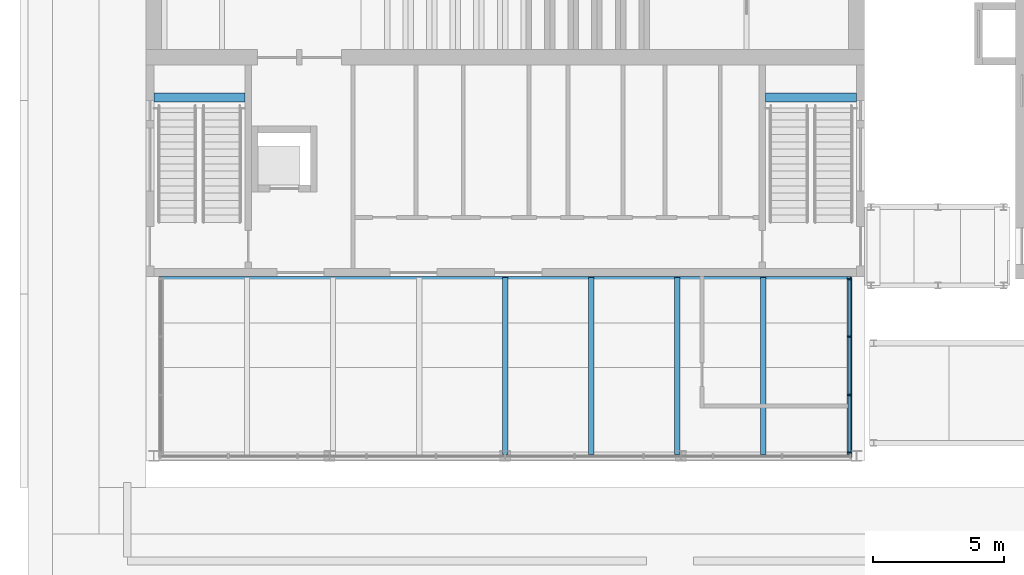
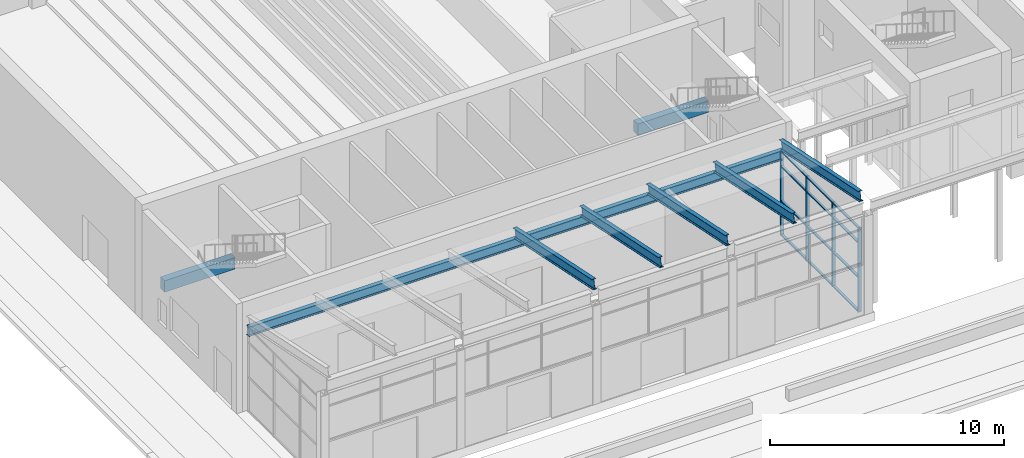
# One storey, part 17 of 71: 22 members, 2 beams, 1 element without a shape of its own.
"""IFC4 building model written with IfcOpenShell, lengths in metres."""

from ifc_helpers import new_model, si_unit, direction, frame, origin, origin_2d, place, context, subcontext, project, spatial, rectangle, i_section, extrude, material, layer, layer_set, material_profile, profile_set, type_object, element, aggregate, save


model = new_model("IFC4")

# Units and contexts
model_context = context("Model", 3, precision=1e-05, world=origin(), true_north=direction((0.0, 1.0)))
body_context = subcontext(model_context, "Body", "Model", "MODEL_VIEW")
ifc_project = project(units=[si_unit("LENGTHUNIT", "METRE"), si_unit("AREAUNIT", "SQUARE_METRE"), si_unit("VOLUMEUNIT", "CUBIC_METRE"), si_unit("PLANEANGLEUNIT", "RADIAN"), si_unit("MASSUNIT", "GRAM", prefix="KILO")], contexts=[model_context])

# Site, building, storey
site_placement = place(None, origin())
site = spatial("IfcSite", under=ifc_project, at=site_placement, CompositionType="ELEMENT")
building_placement = place(site_placement, origin())
building = spatial("IfcBuilding", under=site, at=building_placement, Name="Basin Gate Institute", CompositionType="ELEMENT")
storey_placement = place(building_placement, origin())
storey = spatial("IfcBuildingStorey", under=building, at=storey_placement, Name="L00", CompositionType="ELEMENT", Elevation=0.0)

# Curtain wall, members
ifc_material_1 = material(Name="Aluminium and glass curtain wall", Category="aluminium")
ifc_layer = layer(ifc_material_1, 0.14990234375)
ifc_layer_set = layer_set([ifc_layer], Name="Atrium curtain wall CW81")
curtain_wall_type = type_object("IfcCurtainWallType", Name="Atrium curtain wall CW81", PredefinedType="NOTDEFINED", material=ifc_layer_set)
curtain_wall_placement = place(storey_placement, origin())
curtain_wall = element("IfcCurtainWall", 1, at=curtain_wall_placement, inside=storey, type_object=curtain_wall_type, material=ifc_layer_set, Name="Foyer glazed side E", PredefinedType="NOTDEFINED")
ifc_material_2 = material(Name="Aluminium mullion", Category="aluminium")
ifc_material_profile_1 = material_profile(ifc_material_2, rectangle(XDim=0.159912109375, YDim=0.06005859375, at=origin_2d()), Name="Atrium mullion MU81 160 x 60")
ifc_profile_set_1 = profile_set([ifc_material_profile_1], Name="Aluminium mullion")
member_type_1 = type_object("IfcMemberType", Name="Atrium mullion MU81", PredefinedType="MULLION", material=ifc_profile_set_1)
member_1_placement = place(storey_placement, frame((54.625, 28.22998046875, 0.0), z_axis=(0.0, 0.0, 1.0), x_axis=(-1.0, 0.0, 0.0)))
member_1 = element("IfcMember", 2, at=member_1_placement, type_object=member_type_1, material=ifc_profile_set_1, Name="CW81 mullion 1", PredefinedType="MULLION", context=body_context, shape_type="SweptSolid", body=[
    extrude(rectangle(XDim=0.159912109375, YDim=0.06005859375, at=origin_2d()), origin(), (0.0, 0.0, 1.0), 4.39990234375),
])
member_2_placement = place(storey_placement, frame((54.625, 30.425048828125, 0.0), z_axis=(0.0, 0.0, 1.0), x_axis=(-1.0, 0.0, 0.0)))
member_2 = element("IfcMember", 3, at=member_2_placement, type_object=member_type_1, material=ifc_profile_set_1, Name="CW81 mullion 2", PredefinedType="MULLION", context=body_context, shape_type="SweptSolid", body=[
    extrude(rectangle(XDim=0.159912109375, YDim=0.06005859375, at=origin_2d()), origin(), (0.0, 0.0, 1.0), 4.39990234375),
])
member_3_placement = place(storey_placement, frame((54.625, 32.64990234375, 0.0), z_axis=(0.0, 0.0, 1.0), x_axis=(-1.0, 0.0, 0.0)))
member_3 = element("IfcMember", 4, at=member_3_placement, type_object=member_type_1, material=ifc_profile_set_1, Name="CW81 mullion 3", PredefinedType="MULLION", context=body_context, shape_type="SweptSolid", body=[
    extrude(rectangle(XDim=0.159912109375, YDim=0.06005859375, at=origin_2d()), origin(), (0.0, 0.0, 1.0), 4.39990234375),
])
member_4_placement = place(storey_placement, frame((54.625, 34.844970703125, 0.0), z_axis=(0.0, 0.0, 1.0), x_axis=(-1.0, 0.0, 0.0)))
member_4 = element("IfcMember", 5, at=member_4_placement, type_object=member_type_1, material=ifc_profile_set_1, Name="CW81 mullion 4", PredefinedType="MULLION", context=body_context, shape_type="SweptSolid", body=[
    extrude(rectangle(XDim=0.159912109375, YDim=0.06005859375, at=origin_2d()), origin(), (0.0, 0.0, 1.0), 4.39990234375),
])
ifc_material_3 = material(Name="Aluminium transom", Category="aluminium")
ifc_material_profile_2 = material_profile(ifc_material_3, rectangle(XDim=0.1201171875, YDim=0.06005859375, at=origin_2d()), Name="Atrium transom TR81 120 x 60")
ifc_profile_set_2 = profile_set([ifc_material_profile_2], Name="Aluminium transom")
member_type_2 = type_object("IfcMemberType", Name="Atrium transom TR81", PredefinedType="USERDEFINED", material=ifc_profile_set_2)
member_5_placement = place(storey_placement, frame((54.625, 28.260009765625, 0.030029296875), z_axis=(0.0, 1.0, 0.0), x_axis=(-1.0, 0.0, 0.0)))
member_5 = element("IfcMember", 6, at=member_5_placement, type_object=member_type_2, material=ifc_profile_set_2, Name="CW81 transom 1.1", ObjectType="TRANSOM", PredefinedType="USERDEFINED", context=body_context, shape_type="SweptSolid", body=[
    extrude(rectangle(XDim=0.1201171875, YDim=0.06005859375, at=origin_2d()), origin(), (0.0, 0.0, 1.0), 2.135009765625),
])
member_6_placement = place(storey_placement, frame((54.625, 28.260009765625, 1.800048828125), z_axis=(0.0, 1.0, 0.0), x_axis=(-1.0, 0.0, 0.0)))
member_6 = element("IfcMember", 7, at=member_6_placement, type_object=member_type_2, material=ifc_profile_set_2, Name="CW81 transom 1.2", ObjectType="TRANSOM", PredefinedType="USERDEFINED", context=body_context, shape_type="SweptSolid", body=[
    extrude(rectangle(XDim=0.1201171875, YDim=0.06005859375, at=origin_2d()), origin(), (0.0, 0.0, 1.0), 2.135009765625),
])
member_7_placement = place(storey_placement, frame((54.625, 28.260009765625, 3.60009765625), z_axis=(0.0, 1.0, 0.0), x_axis=(-1.0, 0.0, 0.0)))
member_7 = element("IfcMember", 8, at=member_7_placement, type_object=member_type_2, material=ifc_profile_set_2, Name="CW81 transom 1.3", ObjectType="TRANSOM", PredefinedType="USERDEFINED", context=body_context, shape_type="SweptSolid", body=[
    extrude(rectangle(XDim=0.1201171875, YDim=0.06005859375, at=origin_2d()), origin(), (0.0, 0.0, 1.0), 2.135009765625),
])
member_8_placement = place(storey_placement, frame((54.625, 28.260009765625, 4.3701171875), z_axis=(0.0, 1.0, 0.0), x_axis=(-1.0, 0.0, 0.0)))
member_8 = element("IfcMember", 9, at=member_8_placement, type_object=member_type_2, material=ifc_profile_set_2, Name="CW81 transom 1.4", ObjectType="TRANSOM", PredefinedType="USERDEFINED", context=body_context, shape_type="SweptSolid", body=[
    extrude(rectangle(XDim=0.1201171875, YDim=0.06005859375, at=origin_2d()), origin(), (0.0, 0.0, 1.0), 2.135009765625),
])
member_9_placement = place(storey_placement, frame((54.625, 30.455078125, 0.030029296875), z_axis=(0.0, 1.0, 0.0), x_axis=(-1.0, 0.0, 0.0)))
member_9 = element("IfcMember", 10, at=member_9_placement, type_object=member_type_2, material=ifc_profile_set_2, Name="CW81 transom 2.1", ObjectType="TRANSOM", PredefinedType="USERDEFINED", context=body_context, shape_type="SweptSolid", body=[
    extrude(rectangle(XDim=0.1201171875, YDim=0.06005859375, at=origin_2d()), origin(), (0.0, 0.0, 1.0), 2.1650390625),
])
member_10_placement = place(storey_placement, frame((54.625, 30.455078125, 1.800048828125), z_axis=(0.0, 1.0, 0.0), x_axis=(-1.0, 0.0, 0.0)))
member_10 = element("IfcMember", 11, at=member_10_placement, type_object=member_type_2, material=ifc_profile_set_2, Name="CW81 transom 2.2", ObjectType="TRANSOM", PredefinedType="USERDEFINED", context=body_context, shape_type="SweptSolid", body=[
    extrude(rectangle(XDim=0.1201171875, YDim=0.06005859375, at=origin_2d()), origin(), (0.0, 0.0, 1.0), 2.1650390625),
])
member_11_placement = place(storey_placement, frame((54.625, 30.455078125, 3.60009765625), z_axis=(0.0, 1.0, 0.0), x_axis=(-1.0, 0.0, 0.0)))
member_11 = element("IfcMember", 12, at=member_11_placement, type_object=member_type_2, material=ifc_profile_set_2, Name="CW81 transom 2.3", ObjectType="TRANSOM", PredefinedType="USERDEFINED", context=body_context, shape_type="SweptSolid", body=[
    extrude(rectangle(XDim=0.1201171875, YDim=0.06005859375, at=origin_2d()), origin(), (0.0, 0.0, 1.0), 2.1650390625),
])
member_12_placement = place(storey_placement, frame((54.625, 30.455078125, 4.3701171875), z_axis=(0.0, 1.0, 0.0), x_axis=(-1.0, 0.0, 0.0)))
member_12 = element("IfcMember", 13, at=member_12_placement, type_object=member_type_2, material=ifc_profile_set_2, Name="CW81 transom 2.4", ObjectType="TRANSOM", PredefinedType="USERDEFINED", context=body_context, shape_type="SweptSolid", body=[
    extrude(rectangle(XDim=0.1201171875, YDim=0.06005859375, at=origin_2d()), origin(), (0.0, 0.0, 1.0), 2.1650390625),
])
member_13_placement = place(storey_placement, frame((54.625, 32.679931640625, 0.030029296875), z_axis=(0.0, 1.0, 0.0), x_axis=(-1.0, 0.0, 0.0)))
member_13 = element("IfcMember", 14, at=member_13_placement, type_object=member_type_2, material=ifc_profile_set_2, Name="CW81 transom 3.1", ObjectType="TRANSOM", PredefinedType="USERDEFINED", context=body_context, shape_type="SweptSolid", body=[
    extrude(rectangle(XDim=0.1201171875, YDim=0.06005859375, at=origin_2d()), origin(), (0.0, 0.0, 1.0), 2.135009765625),
])
member_14_placement = place(storey_placement, frame((54.625, 32.679931640625, 1.800048828125), z_axis=(0.0, 1.0, 0.0), x_axis=(-1.0, 0.0, 0.0)))
member_14 = element("IfcMember", 15, at=member_14_placement, type_object=member_type_2, material=ifc_profile_set_2, Name="CW81 transom 3.2", ObjectType="TRANSOM", PredefinedType="USERDEFINED", context=body_context, shape_type="SweptSolid", body=[
    extrude(rectangle(XDim=0.1201171875, YDim=0.06005859375, at=origin_2d()), origin(), (0.0, 0.0, 1.0), 2.135009765625),
])
member_15_placement = place(storey_placement, frame((54.625, 32.679931640625, 3.60009765625), z_axis=(0.0, 1.0, 0.0), x_axis=(-1.0, 0.0, 0.0)))
member_15 = element("IfcMember", 16, at=member_15_placement, type_object=member_type_2, material=ifc_profile_set_2, Name="CW81 transom 3.3", ObjectType="TRANSOM", PredefinedType="USERDEFINED", context=body_context, shape_type="SweptSolid", body=[
    extrude(rectangle(XDim=0.1201171875, YDim=0.06005859375, at=origin_2d()), origin(), (0.0, 0.0, 1.0), 2.135009765625),
])
member_16_placement = place(storey_placement, frame((54.625, 32.679931640625, 4.3701171875), z_axis=(0.0, 1.0, 0.0), x_axis=(-1.0, 0.0, 0.0)))
member_16 = element("IfcMember", 17, at=member_16_placement, type_object=member_type_2, material=ifc_profile_set_2, Name="CW81 transom 3.4", ObjectType="TRANSOM", PredefinedType="USERDEFINED", context=body_context, shape_type="SweptSolid", body=[
    extrude(rectangle(XDim=0.1201171875, YDim=0.06005859375, at=origin_2d()), origin(), (0.0, 0.0, 1.0), 2.135009765625),
])
aggregate(curtain_wall, [member_1, member_2, member_3, member_4, member_5, member_6, member_7, member_8, member_9, member_10, member_11, member_12, member_13, member_14, member_15, member_16])

# Beams
ifc_material_4 = material(Name="Concrete 40 MPa", Category="concrete")
ifc_material_profile_3 = material_profile(ifc_material_4, rectangle(XDim=0.35009765625, YDim=0.60009765625, at=origin_2d()), Name="Beam B4 350 x 600")
ifc_profile_set_3 = profile_set([ifc_material_profile_3], Name="Concrete 40 MPa")
beam_type = type_object("IfcBeamType", Name="Beam B4 R180", PredefinedType="BEAM", material=ifc_profile_set_3)
for number, where, z_axis, x_axis, name in (
    (18, (28.10009765625, 41.77001953125, 2.5), (1.0, 0.0, 0.0), (0.0, 1.0, 0.0), "Stair landing beam ST-T1 L00"),
    (19, (51.425048828125, 41.77001953125, 2.5), (1.0, 0.0, 0.0), (0.0, 1.0, 0.0), "Stair landing beam ST-T3 L00"),
):
    element("IfcBeam", number, at=place(storey_placement, frame(where, z_axis=z_axis, x_axis=x_axis)), inside=storey, type_object=beam_type, material=ifc_profile_set_3, Name=name, PredefinedType="BEAM", context=body_context, shape_type="SweptSolid", body=[
        extrude(rectangle(XDim=0.35009765625, YDim=0.60009765625, at=origin_2d()), origin(), (0.0, 0.0, 1.0), 3.474853515625),
    ])

# Members
ifc_material_5 = material(Name="Structural steel SN490", Category="steel")
ifc_material_profile_4 = material_profile(ifc_material_5, i_section(OverallWidth=0.199951171875, OverallDepth=0.5, WebThickness=0.010009765625, FlangeThickness=0.01611328125, FilletRadius=0.02001953125, at=origin_2d()), Name="H500x200")
ifc_profile_set_4 = profile_set([ifc_material_profile_4], Name="Structural steel SN490")
member_type_3 = type_object("IfcMemberType", Name="Roof purlin SB1 R180", PredefinedType="PURLIN", material=ifc_profile_set_4)
member_17_placement = place(storey_placement, frame((28.300048828125, 34.85009765625, 4.208740234375), z_axis=(1.0, 0.0, 0.0), x_axis=(0.0, 1.0, 0.0)))
element("IfcMember", 20, at=member_17_placement, inside=storey, type_object=member_type_3, material=ifc_profile_set_4, Name="Foyer wall ledger", PredefinedType="PURLIN", context=body_context, shape_type="SweptSolid", body=[
    extrude(i_section(OverallWidth=0.199951171875, OverallDepth=0.5, WebThickness=0.010009765625, FlangeThickness=0.01611328125, FilletRadius=0.02001953125, at=origin_2d()), origin(), (0.0, 0.0, 1.0), 26.39990234375),
])
for number, where, z_axis, x_axis, name in (
    (21, (41.5, 28.10009765625, 6.114013671875), (0.0, 0.979163875427, -0.203071674685), (-1.0, 0.0, 0.0), "Foyer rafter 5"),
    (22, (44.78125, 28.10009765625, 6.114013671875), (0.0, 0.979163875427, -0.203071674685), (-1.0, 0.0, 0.0), "Foyer rafter 6"),
    (23, (48.0625, 28.10009765625, 6.114013671875), (0.0, 0.979163875427, -0.203071674685), (-1.0, 0.0, 0.0), "Foyer rafter 7"),
    (24, (51.34375, 28.10009765625, 6.114013671875), (0.0, 0.979163875427, -0.203071674685), (-1.0, 0.0, 0.0), "Foyer rafter 8"),
    (25, (54.625, 28.10009765625, 6.114013671875), (0.0, 0.979163875427, -0.203071674685), (-1.0, 0.0, 0.0), "Foyer rafter 9"),
):
    element("IfcMember", number, at=place(storey_placement, frame(where, z_axis=z_axis, x_axis=x_axis)), inside=storey, type_object=member_type_3, material=ifc_profile_set_4, Name=name, PredefinedType="PURLIN", context=body_context, shape_type="SweptSolid", body=[
        extrude(i_section(OverallWidth=0.199951171875, OverallDepth=0.5, WebThickness=0.010009765625, FlangeThickness=0.01611328125, FilletRadius=0.02001953125, at=origin_2d()), origin(), (0.0, 0.0, 1.0), 6.8935546875),
    ])

save(model, "model.ifc")
